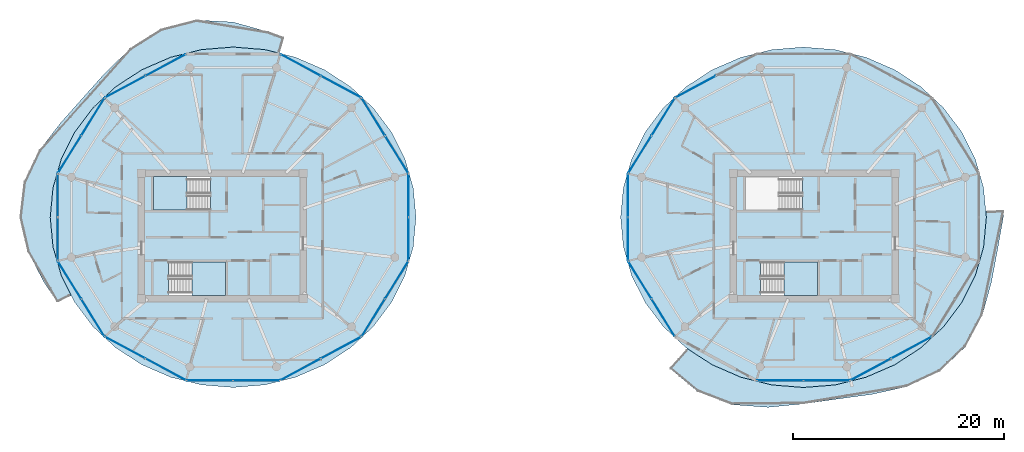
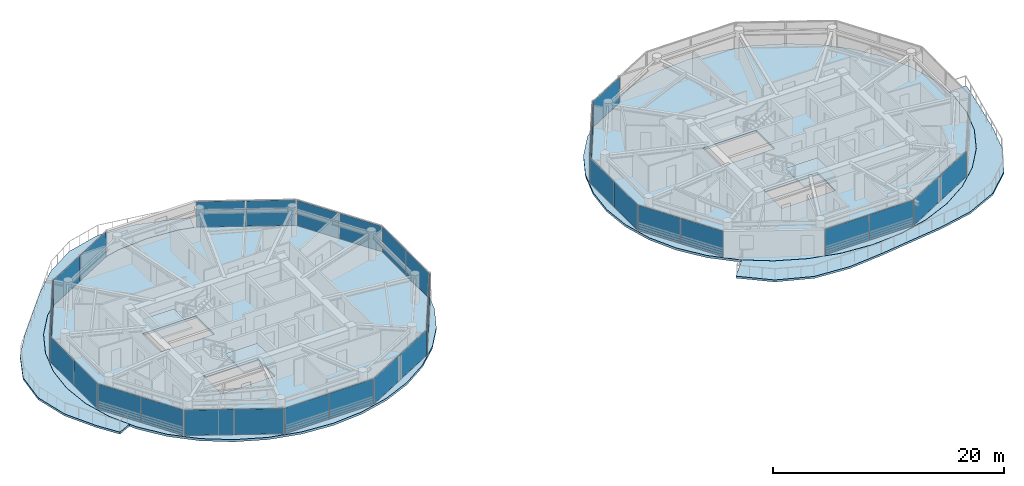
# One storey, part 11 of 24: 33 plates, 7 slabs, 20 elements without a shape of their own.
"""IFC4 building model written with IfcOpenShell, lengths in metres."""

from ifc_helpers import new_model, si_unit, direction, frame, origin, origin_2d, place, context, subcontext, project, spatial, polyline, rectangle, outline, extrude, source, transform, mapped, material, layer, layer_set, type_object, type_shapes, element, aggregate, save


model = new_model("IFC4")

# Units and contexts
model_context = context("Model", 3, precision=1e-05, world=origin(), true_north=direction((0.0, 1.0)))
body_context = subcontext(model_context, "Body", "Model", "MODEL_VIEW")
ifc_project = project(units=[si_unit("LENGTHUNIT", "METRE"), si_unit("AREAUNIT", "SQUARE_METRE"), si_unit("VOLUMEUNIT", "CUBIC_METRE"), si_unit("PLANEANGLEUNIT", "RADIAN"), si_unit("MASSUNIT", "GRAM", prefix="KILO")], contexts=[model_context])

# Site, building, storey
site_placement = place(None, origin())
site = spatial("IfcSite", under=ifc_project, at=site_placement, CompositionType="ELEMENT")
building_placement = place(site_placement, origin())
building = spatial("IfcBuilding", under=site, at=building_placement, Name="Norrkilde Senior Care Towers", CompositionType="ELEMENT")
storey_placement = place(building_placement, frame((0.0, 0.0, 155.64990234375)))
storey = spatial("IfcBuildingStorey", under=building, at=storey_placement, Name="L48", CompositionType="ELEMENT", Elevation=155.64990234375)

# Slabs
ifc_material_1 = material(Name="Concrete C50/60", Category="concrete")
ifc_layer_1 = layer(ifc_material_1, 0.215087890625)
ifc_layer_set_1 = layer_set([ifc_layer_1], Name="Concrete C50/60")
slab_type_1 = type_object("IfcSlabType", Name="Sinusoidal Balcony Ribbon Slab 215", PredefinedType="FLOOR", material=ifc_layer_set_1)
slab_1_placement = place(storey_placement, frame((0.0, 0.0, -0.21484375)))
element("IfcSlab", 1, at=slab_1_placement, inside=storey, type_object=slab_type_1, Name="L48 Drum W Swirling Senior Balcony 1", PredefinedType="FLOOR", context=body_context, shape_type="SweptSolid", body=[
    extrude(outline(polyline([(-46.38525390625, -1.469970703125), (-47.136962890625, 1.775390625), (-46.745849609375, 5.089111328125), (-45.311279296875, 8.09521484375), (-43.322265625, 10.672119140625), (-41.23046875, 13.028564453125), (-39.109375, 15.407470703125), (-36.70703125, 17.732177734375), (-33.793212890625, 19.565185546875), (-30.439453125, 20.436767578125), (-26.97509765625, 20.23974609375), (-23.693359375, 19.322509765625), (-22.176025390625, 18.762939453125), (-22.591552734375, 17.2919921875), (-23.969970703125, 17.6357421875), (-26.97509765625, 17.88037109375), (-29.97998046875, 17.6357421875), (-32.8935546875, 16.9091796875), (-35.62744140625, 15.72265625), (-38.098388671875, 14.112548828125), (-40.2314453125, 12.12744140625), (-41.961669921875, 9.827880859375), (-43.236328125, 7.28369140625), (-44.01708984375, 4.572021484375), (-44.280029296875, 1.775390625), (-44.01708984375, -1.021240234375), (-43.236328125, -3.73291015625), (-42.2880859375, -5.625244140625), (-43.608154296875, -6.26318359375), (-44.871826171875, -4.37255859375), (-46.38525390625, -1.469970703125)])), origin(), (0.0, 0.0, 1.0), 0.21484375),
])
slab_2_placement = place(storey_placement, frame((0.0, 0.0, -0.21484375)))
element("IfcSlab", 2, at=slab_2_placement, inside=storey, type_object=slab_type_1, Name="L48 Drum E Swirling Senior Balcony 1", PredefinedType="FLOOR", context=body_context, shape_type="SweptSolid", body=[
    extrude(outline(polyline([(43.89990234375, -7.479736328125), (42.31396484375, -10.454833984375), (39.845458984375, -12.799072265625), (36.744140625, -14.25048828125), (33.44189453125, -14.977294921875), (30.198974609375, -15.419677734375), (26.97509765625, -15.873779296875), (23.622314453125, -16.20361328125), (20.180419921875, -15.94482421875), (16.96044921875, -14.707275390625), (14.326416015625, -12.5224609375), (15.984375, -10.648193359375), (18.322509765625, -12.171875), (21.056396484375, -13.3583984375), (23.969970703125, -14.0849609375), (26.97509765625, -14.32958984375), (29.97998046875, -14.0849609375), (32.8935546875, -13.3583984375), (35.62744140625, -12.171875), (38.098388671875, -10.561767578125), (40.2314453125, -8.57666015625), (41.961669921875, -6.277099609375), (43.236328125, -3.73291015625), (44.01708984375, -1.021240234375), (44.280029296875, 1.775390625), (44.226318359375, 2.3466796875), (45.94482421875, 2.403564453125), (45.88134765625, 1.775390625), (45.339111328125, -1.271728515625), (44.766357421875, -4.331298828125), (43.89990234375, -7.479736328125)])), origin(), (0.0, 0.0, 1.0), 0.21484375),
])

# Stair, slab
ifc_material_2 = material(Name="Concrete C45/55", Category="concrete")
stair_type = type_object("IfcStairType", Name="Core Protected Dogleg Stair Typical 3050", PredefinedType="HALF_TURN_STAIR", material=ifc_material_2)
stair_1_placement = place(storey_placement, origin())
stair_1 = element("IfcStair", 3, at=stair_1_placement, inside=storey, type_object=stair_type, Name="L48 Protected Core Stair W1", PredefinedType="HALF_TURN_STAIR")
ifc_layer_2 = layer(ifc_material_2, 0.199951171875)
ifc_layer_set_2 = layer_set([ifc_layer_2], Name="Concrete C45/55")
slab_type_2 = type_object("IfcSlabType", Name="Stair Landing Slab 200", PredefinedType="LANDING", material=ifc_layer_set_2)
slab_3_placement = place(storey_placement, frame((0.0, 0.0, 1.3251953125)))
slab_3 = element("IfcSlab", 4, at=slab_3_placement, type_object=slab_type_2, Name="ST-W1 landing 1", PredefinedType="LANDING", context=body_context, shape_type="SweptSolid", body=[
    extrude(outline(polyline([(-31.340087890625, 5.639892578125), (-34.5, 5.639892578125), (-34.5, 2.449951171875), (-31.340087890625, 2.449951171875), (-31.340087890625, 5.639892578125)])), origin(), (0.0, 0.0, 1.0), 0.199951171875),
])
aggregate(stair_1, [slab_3])

stair_2_placement = place(storey_placement, origin())
stair_2 = element("IfcStair", 5, at=stair_2_placement, inside=storey, type_object=stair_type, Name="L48 Protected Core Stair W2", PredefinedType="HALF_TURN_STAIR")
slab_4_placement = place(storey_placement, frame((0.0, 0.0, 1.3251953125)))
slab_4 = element("IfcSlab", 6, at=slab_4_placement, type_object=slab_type_2, Name="ST-W2 landing 1", PredefinedType="LANDING", context=body_context, shape_type="SweptSolid", body=[
    extrude(outline(polyline([(-30.860107421875, -5.639892578125), (-27.699951171875, -5.639892578125), (-27.699951171875, -2.449951171875), (-30.860107421875, -2.449951171875), (-30.860107421875, -5.639892578125)])), origin(), (0.0, 0.0, 1.0), 0.199951171875),
])
aggregate(stair_2, [slab_4])

stair_3_placement = place(storey_placement, origin())
stair_3 = element("IfcStair", 7, at=stair_3_placement, inside=storey, type_object=stair_type, Name="L48 Protected Core Stair E2", PredefinedType="HALF_TURN_STAIR")
slab_5_placement = place(storey_placement, frame((0.0, 0.0, 1.3251953125)))
slab_5 = element("IfcSlab", 8, at=slab_5_placement, type_object=slab_type_2, Name="ST-E2 landing 1", PredefinedType="LANDING", context=body_context, shape_type="SweptSolid", body=[
    extrude(outline(polyline([(25.139892578125, -5.639892578125), (28.300048828125, -5.639892578125), (28.300048828125, -2.449951171875), (25.139892578125, -2.449951171875), (25.139892578125, -5.639892578125)])), origin(), (0.0, 0.0, 1.0), 0.199951171875),
])
aggregate(stair_3, [slab_5])

# Slabs
ifc_layer_3 = layer(ifc_material_1, 0.239990234375)
ifc_layer_set_3 = layer_set([ifc_layer_3], Name="Concrete C50/60")
slab_type_3 = type_object("IfcSlabType", Name="Tower Residence Floor Slab 240", PredefinedType="FLOOR", material=ifc_layer_set_3)
slab_6_placement = place(storey_placement, frame((0.0, 0.0, -0.239990234375)))
element("IfcSlab", 9, at=slab_6_placement, inside=storey, type_object=slab_type_3, Name="L48 Drum W Structural Floor Slab", PredefinedType="FLOOR", context=body_context, shape_type="SweptSolid", body=[
    extrude(outline(polyline([(-10.71826171875, -3.731201171875), (-11.99267578125, -6.274658203125), (-13.722412109375, -8.573486328125), (-15.854736328125, -10.557861328125), (-18.324951171875, -12.167724609375), (-21.05810546875, -13.353759765625), (-23.970947265625, -14.080078125), (-26.97509765625, -14.32470703125), (-29.97900390625, -14.080078125), (-32.891845703125, -13.353759765625), (-35.625, -12.167724609375), (-38.09521484375, -10.557861328125), (-40.2275390625, -8.573486328125), (-41.957275390625, -6.274658203125), (-43.231689453125, -3.731201171875), (-44.01220703125, -1.020263671875), (-44.27490234375, 1.775390625), (-44.01220703125, 4.571044921875), (-43.231689453125, 7.281982421875), (-41.957275390625, 9.825439453125), (-40.2275390625, 12.124267578125), (-38.09521484375, 14.108642578125), (-35.625, 15.71826171875), (-32.891845703125, 16.904296875), (-29.97900390625, 17.630859375), (-26.97509765625, 17.875244140625), (-23.970947265625, 17.630859375), (-21.05810546875, 16.904296875), (-18.324951171875, 15.71826171875), (-15.854736328125, 14.108642578125), (-13.722412109375, 12.124267578125), (-11.99267578125, 9.825439453125), (-10.71826171875, 7.281982421875), (-9.937744140625, 4.571044921875), (-9.675048828125, 1.775390625), (-9.937744140625, -1.020263671875), (-10.71826171875, -3.731201171875)]), holes=[polyline([(-34.48193359375, 2.468017578125), (-29.117919921875, 2.468017578125), (-29.117919921875, 5.639892578125), (-34.48193359375, 5.639892578125), (-34.48193359375, 2.468017578125)]), polyline([(-27.718017578125, -5.639892578125), (-27.718017578125, -2.468017578125), (-33.08203125, -2.468017578125), (-33.08203125, -5.639892578125), (-27.718017578125, -5.639892578125)])]), origin(), (0.0, 0.0, 1.0), 0.239990234375),
])
slab_7_placement = place(storey_placement, frame((0.0, 0.0, -0.239990234375)))
element("IfcSlab", 10, at=slab_7_placement, inside=storey, type_object=slab_type_3, Name="L48 Drum E Structural Floor Slab", PredefinedType="FLOOR", context=body_context, shape_type="SweptSolid", body=[
    extrude(outline(polyline([(43.231689453125, -3.731201171875), (41.957275390625, -6.274658203125), (40.2275390625, -8.573486328125), (38.09521484375, -10.557861328125), (35.625, -12.167724609375), (32.891845703125, -13.353759765625), (29.97900390625, -14.080078125), (26.97509765625, -14.32470703125), (23.970947265625, -14.080078125), (21.05810546875, -13.353759765625), (18.324951171875, -12.167724609375), (15.854736328125, -10.557861328125), (13.722412109375, -8.573486328125), (11.99267578125, -6.274658203125), (10.71826171875, -3.731201171875), (9.937744140625, -1.020263671875), (9.675048828125, 1.775390625), (9.937744140625, 4.571044921875), (10.71826171875, 7.281982421875), (11.99267578125, 9.825439453125), (13.722412109375, 12.124267578125), (15.854736328125, 14.108642578125), (18.324951171875, 15.71826171875), (21.05810546875, 16.904296875), (23.970947265625, 17.630859375), (26.97509765625, 17.875244140625), (29.97900390625, 17.630859375), (32.891845703125, 16.904296875), (35.625, 15.71826171875), (38.09521484375, 14.108642578125), (40.2275390625, 12.124267578125), (41.957275390625, 9.825439453125), (43.231689453125, 7.281982421875), (44.01220703125, 4.571044921875), (44.27490234375, 1.775390625), (44.01220703125, -1.020263671875), (43.231689453125, -3.731201171875)]), holes=[polyline([(21.51806640625, 2.468017578125), (26.882080078125, 2.468017578125), (26.882080078125, 5.639892578125), (21.51806640625, 5.639892578125), (21.51806640625, 2.468017578125)]), polyline([(28.281982421875, -5.639892578125), (28.281982421875, -2.468017578125), (22.91796875, -2.468017578125), (22.91796875, -5.639892578125), (28.281982421875, -5.639892578125)])]), origin(), (0.0, 0.0, 1.0), 0.239990234375),
])

# Curtain wall, plates
ifc_material_3 = material(Name="Triple Low-E Insulated Glazing", Category="glass")
ifc_layer_4 = layer(ifc_material_3, 0.18994140625)
ifc_layer_set_4 = layer_set([ifc_layer_4], Name="Triple Low-E Insulated Glazing")
curtain_wall_type = type_object("IfcCurtainWallType", Name="CW4 Zone 3 Senior Residence Curtain Wall", PredefinedType="NOTDEFINED", material=ifc_layer_set_4)
curtain_wall_1_placement = place(storey_placement, origin())
curtain_wall_1 = element("IfcCurtainWall", 11, at=curtain_wall_1_placement, inside=storey, type_object=curtain_wall_type, Name="L48 Drum W Curtain Wall 00", PredefinedType="NOTDEFINED")
ifc_layer_5 = layer(ifc_material_3, 0.035888671875)
ifc_layer_set_5 = layer_set([ifc_layer_5], Name="Triple Low-E Insulated Glazing")
plate_type = type_object("IfcPlateType", Name="Triple Low-E Vision Curtain Panel 36", PredefinedType="CURTAIN_PANEL", material=ifc_layer_set_5)
shared_shape_1 = source(origin(), body_context, "Body", "SweptSolid", [
    extrude(rectangle(XDim=4.1181640625, YDim=0.035888671875, at=origin_2d()), origin(), (0.0, 0.0, 1.0), 2.68994140625),
])
plate_1_placement = place(storey_placement, frame((-13.706787109375, 11.270263671875, 0.06005859375), z_axis=(0.0, 0.0, 1.0), x_axis=(0.52737270789, -0.84963405474, 0.0)))
plate_1 = element("IfcPlate", 12, at=plate_1_placement, type_object=plate_type, Name="CW-4 panel 1.1", PredefinedType="CURTAIN_PANEL", context=body_context, shape_type="MappedRepresentation", body=[
    mapped(shared_shape_1, transform((0.0, 0.0, 0.0), x_axis=(1.0, 0.0, 0.0), y_axis=(0.0, 1.0, 0.0), z_axis=(0.0, 0.0, 1.0), scale=1.0)),
])
plate_2_placement = place(storey_placement, frame((-11.50048828125, 7.716064453125, 0.06005859375), z_axis=(0.0, 0.0, 1.0), x_axis=(0.52737270789, -0.84963405474, 0.0)))
plate_2 = element("IfcPlate", 13, at=plate_2_placement, type_object=plate_type, Name="CW-4 panel 2.1", PredefinedType="CURTAIN_PANEL", context=body_context, shape_type="MappedRepresentation", body=[
    mapped(shared_shape_1, transform((0.0, 0.0, 0.0), x_axis=(1.0, 0.0, 0.0), y_axis=(0.0, 1.0, 0.0), z_axis=(0.0, 0.0, 1.0), scale=1.0)),
])
aggregate(curtain_wall_1, [plate_1, plate_2])

curtain_wall_2_placement = place(storey_placement, origin())
curtain_wall_2 = element("IfcCurtainWall", 14, at=curtain_wall_2_placement, inside=storey, type_object=curtain_wall_type, Name="L48 Drum W Curtain Wall 04", PredefinedType="NOTDEFINED")
plate_3_placement = place(storey_placement, frame((-42.449462890625, 7.716064453125, 0.06005859375), z_axis=(0.0, 0.0, 1.0), x_axis=(0.52737270789, 0.84963405474, 0.0)))
plate_3 = element("IfcPlate", 15, at=plate_3_placement, type_object=plate_type, Name="CW-4 panel 1.1", PredefinedType="CURTAIN_PANEL", context=body_context, shape_type="MappedRepresentation", body=[
    mapped(shared_shape_1, transform((0.0, 0.0, 0.0), x_axis=(1.0, 0.0, 0.0), y_axis=(0.0, 1.0, 0.0), z_axis=(0.0, 0.0, 1.0), scale=1.0)),
])
plate_4_placement = place(storey_placement, frame((-40.243408203125, 11.270263671875, 0.06005859375), z_axis=(0.0, 0.0, 1.0), x_axis=(0.52737270789, 0.84963405474, 0.0)))
plate_4 = element("IfcPlate", 16, at=plate_4_placement, type_object=plate_type, Name="CW-4 panel 2.1", PredefinedType="CURTAIN_PANEL", context=body_context, shape_type="MappedRepresentation", body=[
    mapped(shared_shape_1, transform((0.0, 0.0, 0.0), x_axis=(1.0, 0.0, 0.0), y_axis=(0.0, 1.0, 0.0), z_axis=(0.0, 0.0, 1.0), scale=1.0)),
])
aggregate(curtain_wall_2, [plate_3, plate_4])

curtain_wall_3_placement = place(storey_placement, origin())
curtain_wall_3 = element("IfcCurtainWall", 17, at=curtain_wall_3_placement, inside=storey, type_object=curtain_wall_type, Name="L48 Drum W Curtain Wall 06", PredefinedType="NOTDEFINED")
plate_5_placement = place(storey_placement, frame((-40.243408203125, -7.719482421875, 0.06005859375), z_axis=(0.0, 0.0, 1.0), x_axis=(-0.52737270789, 0.84963405474, 0.0)))
plate_5 = element("IfcPlate", 18, at=plate_5_placement, type_object=plate_type, Name="CW-4 panel 1.1", PredefinedType="CURTAIN_PANEL", context=body_context, shape_type="MappedRepresentation", body=[
    mapped(shared_shape_1, transform((0.0, 0.0, 0.0), x_axis=(1.0, 0.0, 0.0), y_axis=(0.0, 1.0, 0.0), z_axis=(0.0, 0.0, 1.0), scale=1.0)),
])
plate_6_placement = place(storey_placement, frame((-42.449462890625, -4.165283203125, 0.06005859375), z_axis=(0.0, 0.0, 1.0), x_axis=(-0.52737270789, 0.84963405474, 0.0)))
plate_6 = element("IfcPlate", 19, at=plate_6_placement, type_object=plate_type, Name="CW-4 panel 2.1", PredefinedType="CURTAIN_PANEL", context=body_context, shape_type="MappedRepresentation", body=[
    mapped(shared_shape_1, transform((0.0, 0.0, 0.0), x_axis=(1.0, 0.0, 0.0), y_axis=(0.0, 1.0, 0.0), z_axis=(0.0, 0.0, 1.0), scale=1.0)),
])
aggregate(curtain_wall_3, [plate_5, plate_6])

curtain_wall_4_placement = place(storey_placement, origin())
curtain_wall_4 = element("IfcCurtainWall", 20, at=curtain_wall_4_placement, inside=storey, type_object=curtain_wall_type, Name="L48 Drum W Curtain Wall 10", PredefinedType="NOTDEFINED")
plate_7_placement = place(storey_placement, frame((-11.50048828125, -4.165283203125, 0.06005859375), z_axis=(0.0, 0.0, 1.0), x_axis=(-0.52737270789, -0.84963405474, 0.0)))
plate_7 = element("IfcPlate", 21, at=plate_7_placement, type_object=plate_type, Name="CW-4 panel 1.1", PredefinedType="CURTAIN_PANEL", context=body_context, shape_type="MappedRepresentation", body=[
    mapped(shared_shape_1, transform((0.0, 0.0, 0.0), x_axis=(1.0, 0.0, 0.0), y_axis=(0.0, 1.0, 0.0), z_axis=(0.0, 0.0, 1.0), scale=1.0)),
])
plate_8_placement = place(storey_placement, frame((-13.706787109375, -7.719482421875, 0.06005859375), z_axis=(0.0, 0.0, 1.0), x_axis=(-0.52737270789, -0.84963405474, 0.0)))
plate_8 = element("IfcPlate", 22, at=plate_8_placement, type_object=plate_type, Name="CW-4 panel 2.1", PredefinedType="CURTAIN_PANEL", context=body_context, shape_type="MappedRepresentation", body=[
    mapped(shared_shape_1, transform((0.0, 0.0, 0.0), x_axis=(1.0, 0.0, 0.0), y_axis=(0.0, 1.0, 0.0), z_axis=(0.0, 0.0, 1.0), scale=1.0)),
])
aggregate(curtain_wall_4, [plate_7, plate_8])

curtain_wall_5_placement = place(storey_placement, origin())
curtain_wall_5 = element("IfcCurtainWall", 23, at=curtain_wall_5_placement, inside=storey, type_object=curtain_wall_type, Name="L48 Drum E Curtain Wall 04", PredefinedType="NOTDEFINED")
plate_9_placement = place(storey_placement, frame((11.50048828125, 7.716064453125, 0.06005859375), z_axis=(0.0, 0.0, 1.0), x_axis=(0.52737270789, 0.84963405474, 0.0)))
plate_9 = element("IfcPlate", 24, at=plate_9_placement, type_object=plate_type, Name="CW-4 panel 1.1", PredefinedType="CURTAIN_PANEL", context=body_context, shape_type="MappedRepresentation", body=[
    mapped(shared_shape_1, transform((0.0, 0.0, 0.0), x_axis=(1.0, 0.0, 0.0), y_axis=(0.0, 1.0, 0.0), z_axis=(0.0, 0.0, 1.0), scale=1.0)),
])
plate_10_placement = place(storey_placement, frame((13.706787109375, 11.270263671875, 0.06005859375), z_axis=(0.0, 0.0, 1.0), x_axis=(0.52737270789, 0.84963405474, 0.0)))
plate_10 = element("IfcPlate", 25, at=plate_10_placement, type_object=plate_type, Name="CW-4 panel 2.1", PredefinedType="CURTAIN_PANEL", context=body_context, shape_type="MappedRepresentation", body=[
    mapped(shared_shape_1, transform((0.0, 0.0, 0.0), x_axis=(1.0, 0.0, 0.0), y_axis=(0.0, 1.0, 0.0), z_axis=(0.0, 0.0, 1.0), scale=1.0)),
])
aggregate(curtain_wall_5, [plate_9, plate_10])

curtain_wall_6_placement = place(storey_placement, origin())
curtain_wall_6 = element("IfcCurtainWall", 26, at=curtain_wall_6_placement, inside=storey, type_object=curtain_wall_type, Name="L48 Drum E Curtain Wall 06", PredefinedType="NOTDEFINED")
plate_11_placement = place(storey_placement, frame((13.706787109375, -7.719482421875, 0.06005859375), z_axis=(0.0, 0.0, 1.0), x_axis=(-0.52737270789, 0.84963405474, 0.0)))
plate_11 = element("IfcPlate", 27, at=plate_11_placement, type_object=plate_type, Name="CW-4 panel 1.1", PredefinedType="CURTAIN_PANEL", context=body_context, shape_type="MappedRepresentation", body=[
    mapped(shared_shape_1, transform((0.0, 0.0, 0.0), x_axis=(1.0, 0.0, 0.0), y_axis=(0.0, 1.0, 0.0), z_axis=(0.0, 0.0, 1.0), scale=1.0)),
])
plate_12_placement = place(storey_placement, frame((11.50048828125, -4.165283203125, 0.06005859375), z_axis=(0.0, 0.0, 1.0), x_axis=(-0.52737270789, 0.84963405474, 0.0)))
plate_12 = element("IfcPlate", 28, at=plate_12_placement, type_object=plate_type, Name="CW-4 panel 2.1", PredefinedType="CURTAIN_PANEL", context=body_context, shape_type="MappedRepresentation", body=[
    mapped(shared_shape_1, transform((0.0, 0.0, 0.0), x_axis=(1.0, 0.0, 0.0), y_axis=(0.0, 1.0, 0.0), z_axis=(0.0, 0.0, 1.0), scale=1.0)),
])
aggregate(curtain_wall_6, [plate_11, plate_12])

curtain_wall_7_placement = place(storey_placement, origin())
curtain_wall_7 = element("IfcCurtainWall", 29, at=curtain_wall_7_placement, inside=storey, type_object=curtain_wall_type, Name="L48 Drum W Curtain Wall 01", PredefinedType="NOTDEFINED")
shared_shape_2 = source(origin(), body_context, "Body", "SweptSolid", [
    extrude(rectangle(XDim=4.2734375, YDim=0.035888671875, at=origin_2d()), origin(), (0.0, 0.0, 1.0), 2.68994140625),
])
plate_13_placement = place(storey_placement, frame((-20.5888671875, 16.169189453125, 0.06005859375), z_axis=(0.0, 0.0, 1.0), x_axis=(0.880999524059, -0.47311715104, 0.0)))
plate_13 = element("IfcPlate", 30, at=plate_13_placement, type_object=plate_type, Name="CW-4 panel 1.1", PredefinedType="CURTAIN_PANEL", context=body_context, shape_type="MappedRepresentation", body=[
    mapped(shared_shape_2, transform((0.0, 0.0, 0.0), x_axis=(1.0, 0.0, 0.0), y_axis=(0.0, 1.0, 0.0), z_axis=(0.0, 0.0, 1.0), scale=1.0)),
])
plate_14_placement = place(storey_placement, frame((-16.7666015625, 14.11669921875, 0.06005859375), z_axis=(0.0, 0.0, 1.0), x_axis=(0.880999524059, -0.47311715104, 0.0)))
plate_14 = element("IfcPlate", 31, at=plate_14_placement, type_object=plate_type, Name="CW-4 panel 2.1", PredefinedType="CURTAIN_PANEL", context=body_context, shape_type="MappedRepresentation", body=[
    mapped(shared_shape_2, transform((0.0, 0.0, 0.0), x_axis=(1.0, 0.0, 0.0), y_axis=(0.0, 1.0, 0.0), z_axis=(0.0, 0.0, 1.0), scale=1.0)),
])
aggregate(curtain_wall_7, [plate_13, plate_14])

curtain_wall_8_placement = place(storey_placement, origin())
curtain_wall_8 = element("IfcCurtainWall", 32, at=curtain_wall_8_placement, inside=storey, type_object=curtain_wall_type, Name="L48 Drum W Curtain Wall 03", PredefinedType="NOTDEFINED")
plate_15_placement = place(storey_placement, frame((-37.183349609375, 14.11669921875, 0.06005859375), z_axis=(0.0, 0.0, 1.0), x_axis=(0.880999524059, 0.47311715104, 0.0)))
plate_15 = element("IfcPlate", 33, at=plate_15_placement, type_object=plate_type, Name="CW-4 panel 1.1", PredefinedType="CURTAIN_PANEL", context=body_context, shape_type="MappedRepresentation", body=[
    mapped(shared_shape_2, transform((0.0, 0.0, 0.0), x_axis=(1.0, 0.0, 0.0), y_axis=(0.0, 1.0, 0.0), z_axis=(0.0, 0.0, 1.0), scale=1.0)),
])
plate_16_placement = place(storey_placement, frame((-33.361328125, 16.169189453125, 0.06005859375), z_axis=(0.0, 0.0, 1.0), x_axis=(0.880999524059, 0.47311715104, 0.0)))
plate_16 = element("IfcPlate", 34, at=plate_16_placement, type_object=plate_type, Name="CW-4 panel 2.1", PredefinedType="CURTAIN_PANEL", context=body_context, shape_type="MappedRepresentation", body=[
    mapped(shared_shape_2, transform((0.0, 0.0, 0.0), x_axis=(1.0, 0.0, 0.0), y_axis=(0.0, 1.0, 0.0), z_axis=(0.0, 0.0, 1.0), scale=1.0)),
])
aggregate(curtain_wall_8, [plate_15, plate_16])

curtain_wall_9_placement = place(storey_placement, origin())
curtain_wall_9 = element("IfcCurtainWall", 35, at=curtain_wall_9_placement, inside=storey, type_object=curtain_wall_type, Name="L48 Drum W Curtain Wall 07", PredefinedType="NOTDEFINED")
plate_17_placement = place(storey_placement, frame((-33.361328125, -12.618408203125, 0.06005859375), z_axis=(0.0, 0.0, 1.0), x_axis=(-0.880999524059, 0.47311715104, 0.0)))
plate_17 = element("IfcPlate", 36, at=plate_17_placement, type_object=plate_type, Name="CW-4 panel 1.1", PredefinedType="CURTAIN_PANEL", context=body_context, shape_type="MappedRepresentation", body=[
    mapped(shared_shape_2, transform((0.0, 0.0, 0.0), x_axis=(1.0, 0.0, 0.0), y_axis=(0.0, 1.0, 0.0), z_axis=(0.0, 0.0, 1.0), scale=1.0)),
])
plate_18_placement = place(storey_placement, frame((-37.183349609375, -10.56591796875, 0.06005859375), z_axis=(0.0, 0.0, 1.0), x_axis=(-0.880999524059, 0.47311715104, 0.0)))
plate_18 = element("IfcPlate", 37, at=plate_18_placement, type_object=plate_type, Name="CW-4 panel 2.1", PredefinedType="CURTAIN_PANEL", context=body_context, shape_type="MappedRepresentation", body=[
    mapped(shared_shape_2, transform((0.0, 0.0, 0.0), x_axis=(1.0, 0.0, 0.0), y_axis=(0.0, 1.0, 0.0), z_axis=(0.0, 0.0, 1.0), scale=1.0)),
])
aggregate(curtain_wall_9, [plate_17, plate_18])

curtain_wall_10_placement = place(storey_placement, origin())
curtain_wall_10 = element("IfcCurtainWall", 38, at=curtain_wall_10_placement, inside=storey, type_object=curtain_wall_type, Name="L48 Drum W Curtain Wall 09", PredefinedType="NOTDEFINED")
plate_19_placement = place(storey_placement, frame((-16.7666015625, -10.56591796875, 0.06005859375), z_axis=(0.0, 0.0, 1.0), x_axis=(-0.880999524059, -0.47311715104, 0.0)))
plate_19 = element("IfcPlate", 39, at=plate_19_placement, type_object=plate_type, Name="CW-4 panel 1.1", PredefinedType="CURTAIN_PANEL", context=body_context, shape_type="MappedRepresentation", body=[
    mapped(shared_shape_2, transform((0.0, 0.0, 0.0), x_axis=(1.0, 0.0, 0.0), y_axis=(0.0, 1.0, 0.0), z_axis=(0.0, 0.0, 1.0), scale=1.0)),
])
plate_20_placement = place(storey_placement, frame((-20.5888671875, -12.618408203125, 0.06005859375), z_axis=(0.0, 0.0, 1.0), x_axis=(-0.880999524059, -0.47311715104, 0.0)))
plate_20 = element("IfcPlate", 40, at=plate_20_placement, type_object=plate_type, Name="CW-4 panel 2.1", PredefinedType="CURTAIN_PANEL", context=body_context, shape_type="MappedRepresentation", body=[
    mapped(shared_shape_2, transform((0.0, 0.0, 0.0), x_axis=(1.0, 0.0, 0.0), y_axis=(0.0, 1.0, 0.0), z_axis=(0.0, 0.0, 1.0), scale=1.0)),
])
aggregate(curtain_wall_10, [plate_19, plate_20])

# Curtain wall, plate
curtain_wall_11_placement = place(storey_placement, origin())
curtain_wall_11 = element("IfcCurtainWall", 41, at=curtain_wall_11_placement, inside=storey, type_object=curtain_wall_type, Name="L48 Drum E Curtain Wall 03", PredefinedType="NOTDEFINED")
plate_21_placement = place(storey_placement, frame((16.7666015625, 14.11669921875, 0.06005859375), z_axis=(0.0, 0.0, 1.0), x_axis=(0.880999524059, 0.47311715104, 0.0)))
plate_21 = element("IfcPlate", 42, at=plate_21_placement, type_object=plate_type, Name="CW-4 panel 1.1", PredefinedType="CURTAIN_PANEL", context=body_context, shape_type="MappedRepresentation", body=[
    mapped(shared_shape_2, transform((0.0, 0.0, 0.0), x_axis=(1.0, 0.0, 0.0), y_axis=(0.0, 1.0, 0.0), z_axis=(0.0, 0.0, 1.0), scale=1.0)),
])
aggregate(curtain_wall_11, [plate_21])

# Curtain wall, plates
curtain_wall_12_placement = place(storey_placement, origin())
curtain_wall_12 = element("IfcCurtainWall", 43, at=curtain_wall_12_placement, inside=storey, type_object=curtain_wall_type, Name="L48 Drum E Curtain Wall 09", PredefinedType="NOTDEFINED")
plate_22_placement = place(storey_placement, frame((37.183349609375, -10.56591796875, 0.06005859375), z_axis=(0.0, 0.0, 1.0), x_axis=(-0.880999524059, -0.47311715104, 0.0)))
plate_22 = element("IfcPlate", 44, at=plate_22_placement, type_object=plate_type, Name="CW-4 panel 1.1", PredefinedType="CURTAIN_PANEL", context=body_context, shape_type="MappedRepresentation", body=[
    mapped(shared_shape_2, transform((0.0, 0.0, 0.0), x_axis=(1.0, 0.0, 0.0), y_axis=(0.0, 1.0, 0.0), z_axis=(0.0, 0.0, 1.0), scale=1.0)),
])
plate_23_placement = place(storey_placement, frame((33.361328125, -12.618408203125, 0.06005859375), z_axis=(0.0, 0.0, 1.0), x_axis=(-0.880999524059, -0.47311715104, 0.0)))
plate_23 = element("IfcPlate", 45, at=plate_23_placement, type_object=plate_type, Name="CW-4 panel 2.1", PredefinedType="CURTAIN_PANEL", context=body_context, shape_type="MappedRepresentation", body=[
    mapped(shared_shape_2, transform((0.0, 0.0, 0.0), x_axis=(1.0, 0.0, 0.0), y_axis=(0.0, 1.0, 0.0), z_axis=(0.0, 0.0, 1.0), scale=1.0)),
])
aggregate(curtain_wall_12, [plate_22, plate_23])

curtain_wall_13_placement = place(storey_placement, origin())
curtain_wall_13 = element("IfcCurtainWall", 46, at=curtain_wall_13_placement, inside=storey, type_object=curtain_wall_type, Name="L48 Drum W Curtain Wall 05", PredefinedType="NOTDEFINED")
shared_shape_3 = source(origin(), body_context, "Body", "SweptSolid", [
    extrude(rectangle(XDim=4.038330078125, YDim=0.035888671875, at=origin_2d()), origin(), (0.0, 0.0, 1.0), 2.68994140625),
])
plate_24_placement = place(storey_placement, frame((-43.569580078125, -0.2763671875, 0.06005859375), z_axis=(0.0, 0.0, 1.0), x_axis=(0.0, 1.0, 0.0)))
plate_24 = element("IfcPlate", 47, at=plate_24_placement, type_object=plate_type, Name="CW-4 panel 1.1", PredefinedType="CURTAIN_PANEL", context=body_context, shape_type="MappedRepresentation", body=[
    mapped(shared_shape_3, transform((0.0, 0.0, 0.0), x_axis=(1.0, 0.0, 0.0), y_axis=(0.0, 1.0, 0.0), z_axis=(0.0, 0.0, 1.0), scale=1.0)),
])
plate_25_placement = place(storey_placement, frame((-43.569580078125, 3.8271484375, 0.06005859375), z_axis=(0.0, 0.0, 1.0), x_axis=(0.0, 1.0, 0.0)))
plate_25 = element("IfcPlate", 48, at=plate_25_placement, type_object=plate_type, Name="CW-4 panel 2.1", PredefinedType="CURTAIN_PANEL", context=body_context, shape_type="MappedRepresentation", body=[
    mapped(shared_shape_3, transform((0.0, 0.0, 0.0), x_axis=(1.0, 0.0, 0.0), y_axis=(0.0, 1.0, 0.0), z_axis=(0.0, 0.0, 1.0), scale=1.0)),
])
aggregate(curtain_wall_13, [plate_24, plate_25])

curtain_wall_14_placement = place(storey_placement, origin())
curtain_wall_14 = element("IfcCurtainWall", 49, at=curtain_wall_14_placement, inside=storey, type_object=curtain_wall_type, Name="L48 Drum W Curtain Wall 11", PredefinedType="NOTDEFINED")
plate_26_placement = place(storey_placement, frame((-10.38037109375, 3.8271484375, 0.06005859375), z_axis=(0.0, 0.0, 1.0), x_axis=(0.0, -1.0, 0.0)))
plate_26 = element("IfcPlate", 50, at=plate_26_placement, type_object=plate_type, Name="CW-4 panel 1.1", PredefinedType="CURTAIN_PANEL", context=body_context, shape_type="MappedRepresentation", body=[
    mapped(shared_shape_3, transform((0.0, 0.0, 0.0), x_axis=(1.0, 0.0, 0.0), y_axis=(0.0, 1.0, 0.0), z_axis=(0.0, 0.0, 1.0), scale=1.0)),
])
plate_27_placement = place(storey_placement, frame((-10.38037109375, -0.2763671875, 0.06005859375), z_axis=(0.0, 0.0, 1.0), x_axis=(0.0, -1.0, 0.0)))
plate_27 = element("IfcPlate", 51, at=plate_27_placement, type_object=plate_type, Name="CW-4 panel 2.1", PredefinedType="CURTAIN_PANEL", context=body_context, shape_type="MappedRepresentation", body=[
    mapped(shared_shape_3, transform((0.0, 0.0, 0.0), x_axis=(1.0, 0.0, 0.0), y_axis=(0.0, 1.0, 0.0), z_axis=(0.0, 0.0, 1.0), scale=1.0)),
])
aggregate(curtain_wall_14, [plate_26, plate_27])

curtain_wall_15_placement = place(storey_placement, origin())
curtain_wall_15 = element("IfcCurtainWall", 52, at=curtain_wall_15_placement, inside=storey, type_object=curtain_wall_type, Name="L48 Drum E Curtain Wall 05", PredefinedType="NOTDEFINED")
plate_28_placement = place(storey_placement, frame((10.38037109375, -0.2763671875, 0.06005859375), z_axis=(0.0, 0.0, 1.0), x_axis=(0.0, 1.0, 0.0)))
plate_28 = element("IfcPlate", 53, at=plate_28_placement, type_object=plate_type, Name="CW-4 panel 1.1", PredefinedType="CURTAIN_PANEL", context=body_context, shape_type="MappedRepresentation", body=[
    mapped(shared_shape_3, transform((0.0, 0.0, 0.0), x_axis=(1.0, 0.0, 0.0), y_axis=(0.0, 1.0, 0.0), z_axis=(0.0, 0.0, 1.0), scale=1.0)),
])
plate_29_placement = place(storey_placement, frame((10.38037109375, 3.8271484375, 0.06005859375), z_axis=(0.0, 0.0, 1.0), x_axis=(0.0, 1.0, 0.0)))
plate_29 = element("IfcPlate", 54, at=plate_29_placement, type_object=plate_type, Name="CW-4 panel 2.1", PredefinedType="CURTAIN_PANEL", context=body_context, shape_type="MappedRepresentation", body=[
    mapped(shared_shape_3, transform((0.0, 0.0, 0.0), x_axis=(1.0, 0.0, 0.0), y_axis=(0.0, 1.0, 0.0), z_axis=(0.0, 0.0, 1.0), scale=1.0)),
])
aggregate(curtain_wall_15, [plate_28, plate_29])

curtain_wall_16_placement = place(storey_placement, origin())
curtain_wall_16 = element("IfcCurtainWall", 55, at=curtain_wall_16_placement, inside=storey, type_object=curtain_wall_type, Name="L48 Drum W Curtain Wall 08", PredefinedType="NOTDEFINED")
shared_shape_4 = source(origin(), body_context, "Body", "SweptSolid", [
    extrude(rectangle(XDim=4.34912109375, YDim=0.035888671875, at=origin_2d()), origin(), (0.0, 0.0, 1.0), 2.68994140625),
])
type_shapes(plate_type, [shared_shape_1, shared_shape_2, shared_shape_3, shared_shape_4])
plate_30_placement = place(storey_placement, frame((-24.76806640625, -13.66015625, 0.06005859375), z_axis=(0.0, 0.0, 1.0), x_axis=(-1.0, 0.0, 0.0)))
plate_30 = element("IfcPlate", 56, at=plate_30_placement, type_object=plate_type, Name="CW-4 panel 1.1", PredefinedType="CURTAIN_PANEL", context=body_context, shape_type="MappedRepresentation", body=[
    mapped(shared_shape_4, transform((0.0, 0.0, 0.0), x_axis=(1.0, 0.0, 0.0), y_axis=(0.0, 1.0, 0.0), z_axis=(0.0, 0.0, 1.0), scale=1.0)),
])
plate_31_placement = place(storey_placement, frame((-29.181884765625, -13.66015625, 0.06005859375), z_axis=(0.0, 0.0, 1.0), x_axis=(-1.0, 0.0, 0.0)))
plate_31 = element("IfcPlate", 57, at=plate_31_placement, type_object=plate_type, Name="CW-4 panel 2.1", PredefinedType="CURTAIN_PANEL", context=body_context, shape_type="MappedRepresentation", body=[
    mapped(shared_shape_4, transform((0.0, 0.0, 0.0), x_axis=(1.0, 0.0, 0.0), y_axis=(0.0, 1.0, 0.0), z_axis=(0.0, 0.0, 1.0), scale=1.0)),
])
aggregate(curtain_wall_16, [plate_30, plate_31])

curtain_wall_17_placement = place(storey_placement, origin())
curtain_wall_17 = element("IfcCurtainWall", 58, at=curtain_wall_17_placement, inside=storey, type_object=curtain_wall_type, Name="L48 Drum E Curtain Wall 08", PredefinedType="NOTDEFINED")
plate_32_placement = place(storey_placement, frame((29.181884765625, -13.66015625, 0.06005859375), z_axis=(0.0, 0.0, 1.0), x_axis=(-1.0, 0.0, 0.0)))
plate_32 = element("IfcPlate", 59, at=plate_32_placement, type_object=plate_type, Name="CW-4 panel 1.1", PredefinedType="CURTAIN_PANEL", context=body_context, shape_type="MappedRepresentation", body=[
    mapped(shared_shape_4, transform((0.0, 0.0, 0.0), x_axis=(1.0, 0.0, 0.0), y_axis=(0.0, 1.0, 0.0), z_axis=(0.0, 0.0, 1.0), scale=1.0)),
])
plate_33_placement = place(storey_placement, frame((24.76806640625, -13.66015625, 0.06005859375), z_axis=(0.0, 0.0, 1.0), x_axis=(-1.0, 0.0, 0.0)))
plate_33 = element("IfcPlate", 60, at=plate_33_placement, type_object=plate_type, Name="CW-4 panel 2.1", PredefinedType="CURTAIN_PANEL", context=body_context, shape_type="MappedRepresentation", body=[
    mapped(shared_shape_4, transform((0.0, 0.0, 0.0), x_axis=(1.0, 0.0, 0.0), y_axis=(0.0, 1.0, 0.0), z_axis=(0.0, 0.0, 1.0), scale=1.0)),
])
aggregate(curtain_wall_17, [plate_32, plate_33])

save(model, "model.ifc")
